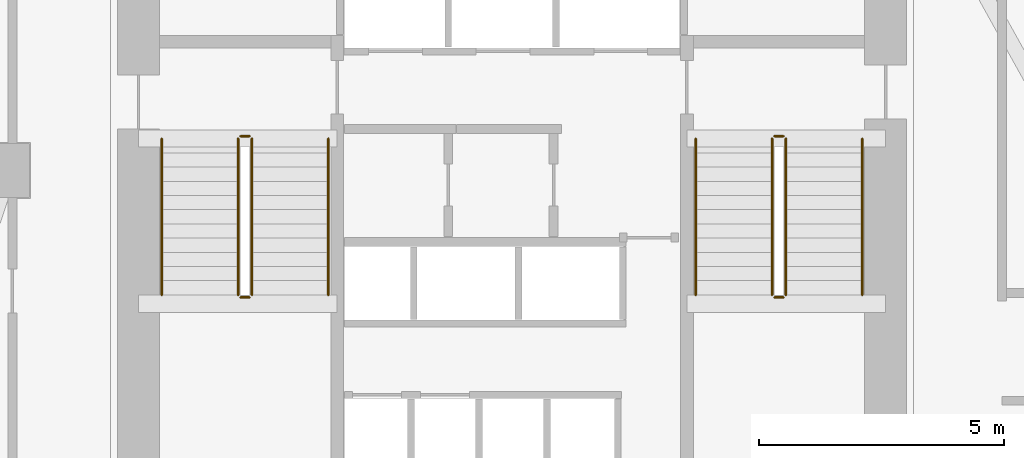
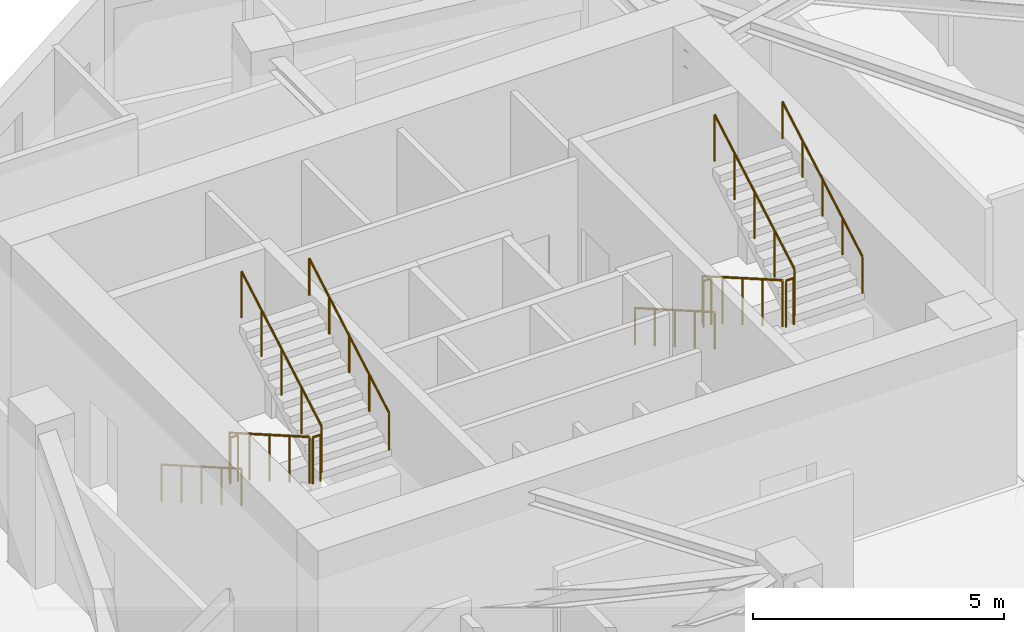
# One storey, part 10 of 11: 12 railings.
"""IFC4 building model written with IfcOpenShell, lengths in metres."""

from ifc_helpers import new_model, si_unit, direction, frame, origin, origin_2d, place, context, subcontext, project, spatial, circle, extrude, material, type_object, element, save


model = new_model("IFC4")

# Units and contexts
model_context = context("Model", 3, precision=1e-05, world=origin(), true_north=direction((0.0, 1.0)))
body_context = subcontext(model_context, "Body", "Model", "MODEL_VIEW")
ifc_project = project(units=[si_unit("LENGTHUNIT", "METRE"), si_unit("AREAUNIT", "SQUARE_METRE"), si_unit("VOLUMEUNIT", "CUBIC_METRE"), si_unit("PLANEANGLEUNIT", "RADIAN"), si_unit("MASSUNIT", "GRAM", prefix="KILO")], contexts=[model_context])

# Site, building, storey
site_placement = place(None, origin())
site = spatial("IfcSite", under=ifc_project, at=site_placement, CompositionType="ELEMENT")
building_placement = place(site_placement, origin())
building = spatial("IfcBuilding", under=site, at=building_placement, Name="Calvemar Wedge Station Tower", CompositionType="ELEMENT")
storey_placement = place(building_placement, frame((0.0, 0.0, 83.0)))
storey = spatial("IfcBuildingStorey", under=building, at=storey_placement, Name="L20", CompositionType="ELEMENT", Elevation=83.0)

# Railings
ifc_material_1 = material(Name="Stainless steel AISI 316L", Category="steel")
railing_type_1 = type_object("IfcRailingType", Name="RL-HANDRAIL-920", PredefinedType="HANDRAIL", material=ifc_material_1)
railing_1_placement = place(storey_placement, frame((16.64990234375, 41.14990234375, 0.166748046875)))
element("IfcRailing", 1, at=railing_1_placement, inside=storey, type_object=railing_type_1, Name="L20 ST-C1 stair handrail 1", PredefinedType="HANDRAIL", context=body_context, shape_type="SweptSolid", body=[
    extrude(circle(Radius=0.02392578125, at=origin_2d()), frame((0.0, 0.0, 0.89599609375), z_axis=(0.0, -0.867019545617, 0.498274128887), x_axis=(1.0, 0.0, 0.0)), (0.0, 0.0, 1.0), 3.67919921875),
    extrude(circle(Radius=0.02099609375, at=origin_2d()), origin(), (0.0, 0.0, 1.0), 0.871826171875),
    extrude(circle(Radius=0.02099609375, at=origin_2d()), frame((0.0, -0.79736328125, 0.458251953125)), (0.0, 0.0, 1.0), 0.871826171875),
    extrude(circle(Radius=0.02099609375, at=origin_2d()), frame((0.0, -1.594970703125, 0.91650390625)), (0.0, 0.0, 1.0), 0.871826171875),
    extrude(circle(Radius=0.02099609375, at=origin_2d()), frame((0.0, -2.392578125, 1.375)), (0.0, 0.0, 1.0), 0.871826171875),
    extrude(circle(Radius=0.02099609375, at=origin_2d()), frame((0.0, -3.18994140625, 1.833251953125)), (0.0, 0.0, 1.0), 0.871826171875),
])
railing_2_placement = place(storey_placement, frame((20.050048828125, 37.9599609375, 2.166748046875)))
element("IfcRailing", 2, at=railing_2_placement, inside=storey, type_object=railing_type_1, Name="L20 ST-C1 stair handrail 2", PredefinedType="HANDRAIL", context=body_context, shape_type="SweptSolid", body=[
    extrude(circle(Radius=0.02392578125, at=origin_2d()), frame((0.0, 0.0, 0.89599609375), z_axis=(0.0, 0.867019545617, 0.498274128887), x_axis=(-1.0, 0.0, 0.0)), (0.0, 0.0, 1.0), 3.67919921875),
    extrude(circle(Radius=0.02099609375, at=origin_2d()), origin(), (0.0, 0.0, 1.0), 0.871826171875),
    extrude(circle(Radius=0.02099609375, at=origin_2d()), frame((0.0, 0.79736328125, 0.458251953125)), (0.0, 0.0, 1.0), 0.871826171875),
    extrude(circle(Radius=0.02099609375, at=origin_2d()), frame((0.0, 1.594970703125, 0.91650390625)), (0.0, 0.0, 1.0), 0.871826171875),
    extrude(circle(Radius=0.02099609375, at=origin_2d()), frame((0.0, 2.392578125, 1.375)), (0.0, 0.0, 1.0), 0.871826171875),
    extrude(circle(Radius=0.02099609375, at=origin_2d()), frame((0.0, 3.18994140625, 1.833251953125)), (0.0, 0.0, 1.0), 0.871826171875),
])
railing_3_placement = place(storey_placement, frame((27.550048828125, 41.14990234375, 0.166748046875)))
element("IfcRailing", 3, at=railing_3_placement, inside=storey, type_object=railing_type_1, Name="L20 ST-C2 stair handrail 1", PredefinedType="HANDRAIL", context=body_context, shape_type="SweptSolid", body=[
    extrude(circle(Radius=0.02392578125, at=origin_2d()), frame((0.0, 0.0, 0.89599609375), z_axis=(0.0, -0.867019545617, 0.498274128887), x_axis=(1.0, 0.0, 0.0)), (0.0, 0.0, 1.0), 3.67919921875),
    extrude(circle(Radius=0.02099609375, at=origin_2d()), origin(), (0.0, 0.0, 1.0), 0.871826171875),
    extrude(circle(Radius=0.02099609375, at=origin_2d()), frame((0.0, -0.79736328125, 0.458251953125)), (0.0, 0.0, 1.0), 0.871826171875),
    extrude(circle(Radius=0.02099609375, at=origin_2d()), frame((0.0, -1.594970703125, 0.91650390625)), (0.0, 0.0, 1.0), 0.871826171875),
    extrude(circle(Radius=0.02099609375, at=origin_2d()), frame((0.0, -2.392578125, 1.375)), (0.0, 0.0, 1.0), 0.871826171875),
    extrude(circle(Radius=0.02099609375, at=origin_2d()), frame((0.0, -3.18994140625, 1.833251953125)), (0.0, 0.0, 1.0), 0.871826171875),
])
railing_4_placement = place(storey_placement, frame((30.949951171875, 37.9599609375, 2.166748046875)))
element("IfcRailing", 4, at=railing_4_placement, inside=storey, type_object=railing_type_1, Name="L20 ST-C2 stair handrail 2", PredefinedType="HANDRAIL", context=body_context, shape_type="SweptSolid", body=[
    extrude(circle(Radius=0.02392578125, at=origin_2d()), frame((0.0, 0.0, 0.89599609375), z_axis=(0.0, 0.867019545617, 0.498274128887), x_axis=(-1.0, 0.0, 0.0)), (0.0, 0.0, 1.0), 3.67919921875),
    extrude(circle(Radius=0.02099609375, at=origin_2d()), origin(), (0.0, 0.0, 1.0), 0.871826171875),
    extrude(circle(Radius=0.02099609375, at=origin_2d()), frame((0.0, 0.79736328125, 0.458251953125)), (0.0, 0.0, 1.0), 0.871826171875),
    extrude(circle(Radius=0.02099609375, at=origin_2d()), frame((0.0, 1.594970703125, 0.91650390625)), (0.0, 0.0, 1.0), 0.871826171875),
    extrude(circle(Radius=0.02099609375, at=origin_2d()), frame((0.0, 2.392578125, 1.375)), (0.0, 0.0, 1.0), 0.871826171875),
    extrude(circle(Radius=0.02099609375, at=origin_2d()), frame((0.0, 3.18994140625, 1.833251953125)), (0.0, 0.0, 1.0), 0.871826171875),
])
ifc_material_2 = material(Name="Painted steel guardrail ASTM A500 Grade C", Category="steel")
railing_type_2 = type_object("IfcRailingType", Name="RL-STAIR-GUARD-1150", PredefinedType="GUARDRAIL", material=ifc_material_2)
railing_5_placement = place(storey_placement, frame((18.2099609375, 41.14990234375, 0.166748046875)))
element("IfcRailing", 5, at=railing_5_placement, inside=storey, type_object=railing_type_2, Name="L20 ST-C1 stair guard 1", PredefinedType="GUARDRAIL", context=body_context, shape_type="SweptSolid", body=[
    extrude(circle(Radius=0.02392578125, at=origin_2d()), frame((0.0, 0.0, 1.1259765625), z_axis=(0.0, -0.867019545617, 0.498274128887), x_axis=(1.0, 0.0, 0.0)), (0.0, 0.0, 1.0), 3.67919921875),
    extrude(circle(Radius=0.02099609375, at=origin_2d()), origin(), (0.0, 0.0, 1.0), 1.101806640625),
    extrude(circle(Radius=0.02099609375, at=origin_2d()), frame((0.0, -0.79736328125, 0.458251953125)), (0.0, 0.0, 1.0), 1.101806640625),
    extrude(circle(Radius=0.02099609375, at=origin_2d()), frame((0.0, -1.594970703125, 0.91650390625)), (0.0, 0.0, 1.0), 1.101806640625),
    extrude(circle(Radius=0.02099609375, at=origin_2d()), frame((0.0, -2.392578125, 1.375)), (0.0, 0.0, 1.0), 1.101806640625),
    extrude(circle(Radius=0.02099609375, at=origin_2d()), frame((0.0, -3.18994140625, 1.833251953125)), (0.0, 0.0, 1.0), 1.101806640625),
])
railing_6_placement = place(storey_placement, frame((18.260009765625, 37.909912109375, 2.0)))
element("IfcRailing", 6, at=railing_6_placement, inside=storey, type_object=railing_type_2, Name="L20 ST-C1 stair guard 2", PredefinedType="GUARDRAIL", context=body_context, shape_type="SweptSolid", body=[
    extrude(circle(Radius=0.02392578125, at=origin_2d()), frame((0.0, 0.0, 1.1259765625), z_axis=(1.0, 0.0, 0.0), x_axis=(0.0, 1.0, 0.0)), (0.0, 0.0, 1.0), 0.179931640625),
    extrude(circle(Radius=0.02099609375, at=origin_2d()), origin(), (0.0, 0.0, 1.0), 1.101806640625),
    extrude(circle(Radius=0.02099609375, at=origin_2d()), frame((0.179931640625, 0.0, 0.0)), (0.0, 0.0, 1.0), 1.101806640625),
])
railing_7_placement = place(storey_placement, frame((18.489990234375, 37.9599609375, 2.166748046875)))
element("IfcRailing", 7, at=railing_7_placement, inside=storey, type_object=railing_type_2, Name="L20 ST-C1 stair guard 3", PredefinedType="GUARDRAIL", context=body_context, shape_type="SweptSolid", body=[
    extrude(circle(Radius=0.02392578125, at=origin_2d()), frame((0.0, 0.0, 1.1259765625), z_axis=(0.0, 0.867019545617, 0.498274128887), x_axis=(-1.0, 0.0, 0.0)), (0.0, 0.0, 1.0), 3.67919921875),
    extrude(circle(Radius=0.02099609375, at=origin_2d()), origin(), (0.0, 0.0, 1.0), 1.101806640625),
    extrude(circle(Radius=0.02099609375, at=origin_2d()), frame((0.0, 0.79736328125, 0.458251953125)), (0.0, 0.0, 1.0), 1.101806640625),
    extrude(circle(Radius=0.02099609375, at=origin_2d()), frame((0.0, 1.594970703125, 0.91650390625)), (0.0, 0.0, 1.0), 1.101806640625),
    extrude(circle(Radius=0.02099609375, at=origin_2d()), frame((0.0, 2.392578125, 1.375)), (0.0, 0.0, 1.0), 1.101806640625),
    extrude(circle(Radius=0.02099609375, at=origin_2d()), frame((0.0, 3.18994140625, 1.833251953125)), (0.0, 0.0, 1.0), 1.101806640625),
])
railing_8_placement = place(storey_placement, frame((18.260009765625, 41.199951171875, 0.0)))
element("IfcRailing", 8, at=railing_8_placement, inside=storey, type_object=railing_type_2, Name="L20 ST-C1 stair guard 4", PredefinedType="GUARDRAIL", context=body_context, shape_type="SweptSolid", body=[
    extrude(circle(Radius=0.02392578125, at=origin_2d()), frame((0.0, 0.0, 1.1259765625), z_axis=(1.0, 0.0, 0.0), x_axis=(0.0, 1.0, 0.0)), (0.0, 0.0, 1.0), 0.179931640625),
    extrude(circle(Radius=0.02099609375, at=origin_2d()), origin(), (0.0, 0.0, 1.0), 1.101806640625),
    extrude(circle(Radius=0.02099609375, at=origin_2d()), frame((0.179931640625, 0.0, 0.0)), (0.0, 0.0, 1.0), 1.101806640625),
])
railing_9_placement = place(storey_placement, frame((29.110107421875, 41.14990234375, 0.166748046875)))
element("IfcRailing", 9, at=railing_9_placement, inside=storey, type_object=railing_type_2, Name="L20 ST-C2 stair guard 1", PredefinedType="GUARDRAIL", context=body_context, shape_type="SweptSolid", body=[
    extrude(circle(Radius=0.02392578125, at=origin_2d()), frame((0.0, 0.0, 1.1259765625), z_axis=(0.0, -0.867019545617, 0.498274128887), x_axis=(1.0, 0.0, 0.0)), (0.0, 0.0, 1.0), 3.67919921875),
    extrude(circle(Radius=0.02099609375, at=origin_2d()), origin(), (0.0, 0.0, 1.0), 1.101806640625),
    extrude(circle(Radius=0.02099609375, at=origin_2d()), frame((0.0, -0.79736328125, 0.458251953125)), (0.0, 0.0, 1.0), 1.101806640625),
    extrude(circle(Radius=0.02099609375, at=origin_2d()), frame((0.0, -1.594970703125, 0.91650390625)), (0.0, 0.0, 1.0), 1.101806640625),
    extrude(circle(Radius=0.02099609375, at=origin_2d()), frame((0.0, -2.392578125, 1.375)), (0.0, 0.0, 1.0), 1.101806640625),
    extrude(circle(Radius=0.02099609375, at=origin_2d()), frame((0.0, -3.18994140625, 1.833251953125)), (0.0, 0.0, 1.0), 1.101806640625),
])
railing_10_placement = place(storey_placement, frame((29.159912109375, 37.909912109375, 2.0)))
element("IfcRailing", 10, at=railing_10_placement, inside=storey, type_object=railing_type_2, Name="L20 ST-C2 stair guard 2", PredefinedType="GUARDRAIL", context=body_context, shape_type="SweptSolid", body=[
    extrude(circle(Radius=0.02392578125, at=origin_2d()), frame((0.0, 0.0, 1.1259765625), z_axis=(1.0, 0.0, 0.0), x_axis=(0.0, 1.0, 0.0)), (0.0, 0.0, 1.0), 0.18017578125),
    extrude(circle(Radius=0.02099609375, at=origin_2d()), origin(), (0.0, 0.0, 1.0), 1.101806640625),
    extrude(circle(Radius=0.02099609375, at=origin_2d()), frame((0.18017578125, 0.0, 0.0)), (0.0, 0.0, 1.0), 1.101806640625),
])
railing_11_placement = place(storey_placement, frame((29.389892578125, 37.9599609375, 2.166748046875)))
element("IfcRailing", 11, at=railing_11_placement, inside=storey, type_object=railing_type_2, Name="L20 ST-C2 stair guard 3", PredefinedType="GUARDRAIL", context=body_context, shape_type="SweptSolid", body=[
    extrude(circle(Radius=0.02392578125, at=origin_2d()), frame((0.0, 0.0, 1.1259765625), z_axis=(0.0, 0.867019545617, 0.498274128887), x_axis=(-1.0, 0.0, 0.0)), (0.0, 0.0, 1.0), 3.67919921875),
    extrude(circle(Radius=0.02099609375, at=origin_2d()), origin(), (0.0, 0.0, 1.0), 1.101806640625),
    extrude(circle(Radius=0.02099609375, at=origin_2d()), frame((0.0, 0.79736328125, 0.458251953125)), (0.0, 0.0, 1.0), 1.101806640625),
    extrude(circle(Radius=0.02099609375, at=origin_2d()), frame((0.0, 1.594970703125, 0.91650390625)), (0.0, 0.0, 1.0), 1.101806640625),
    extrude(circle(Radius=0.02099609375, at=origin_2d()), frame((0.0, 2.392578125, 1.375)), (0.0, 0.0, 1.0), 1.101806640625),
    extrude(circle(Radius=0.02099609375, at=origin_2d()), frame((0.0, 3.18994140625, 1.833251953125)), (0.0, 0.0, 1.0), 1.101806640625),
])
railing_12_placement = place(storey_placement, frame((29.159912109375, 41.199951171875, 0.0)))
element("IfcRailing", 12, at=railing_12_placement, inside=storey, type_object=railing_type_2, Name="L20 ST-C2 stair guard 4", PredefinedType="GUARDRAIL", context=body_context, shape_type="SweptSolid", body=[
    extrude(circle(Radius=0.02392578125, at=origin_2d()), frame((0.0, 0.0, 1.1259765625), z_axis=(1.0, 0.0, 0.0), x_axis=(0.0, 1.0, 0.0)), (0.0, 0.0, 1.0), 0.18017578125),
    extrude(circle(Radius=0.02099609375, at=origin_2d()), origin(), (0.0, 0.0, 1.0), 1.101806640625),
    extrude(circle(Radius=0.02099609375, at=origin_2d()), frame((0.18017578125, 0.0, 0.0)), (0.0, 0.0, 1.0), 1.101806640625),
])

save(model, "model.ifc")
